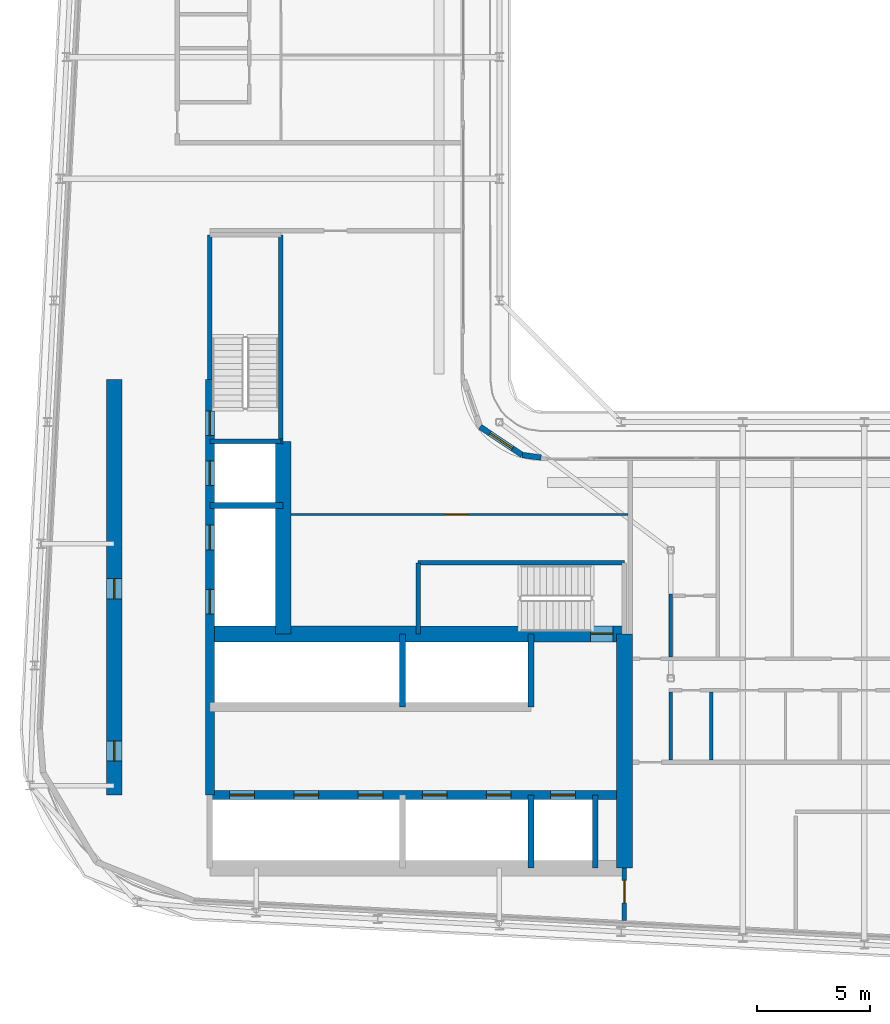
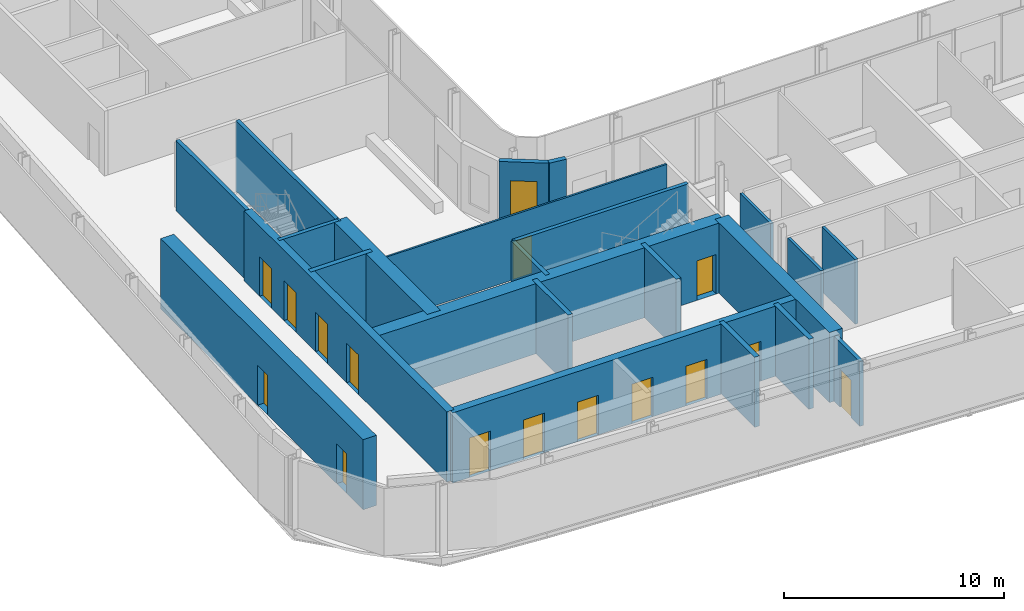
# One storey, part 10 of 21: 24 walls, 15 doors, 1 window, 16 openings.
"""IFC4 building model written with IfcOpenShell, lengths in metres."""

from ifc_helpers import new_model, si_unit, direction, frame, frame_2d, origin, place, context, subcontext, project, spatial, rectangle, extrude, source, transform, mapped, material, layer, layer_set, type_object, element, fill, save


model = new_model("IFC4")

# Units and contexts
model_context = context("Model", 3, precision=1e-05, world=origin(), true_north=direction((0.0, 1.0)))
body_context = subcontext(model_context, "Body", "Model", "MODEL_VIEW")
ifc_project = project(units=[si_unit("LENGTHUNIT", "METRE"), si_unit("AREAUNIT", "SQUARE_METRE"), si_unit("VOLUMEUNIT", "CUBIC_METRE"), si_unit("PLANEANGLEUNIT", "RADIAN"), si_unit("MASSUNIT", "GRAM", prefix="KILO")], contexts=[model_context])

# Site, building, storey
site_placement = place(None, origin())
site = spatial("IfcSite", under=ifc_project, at=site_placement, CompositionType="ELEMENT")
building_placement = place(site_placement, origin())
building = spatial("IfcBuilding", under=site, at=building_placement, Name="Kheshtan School and Residences Tower", CompositionType="ELEMENT")
storey_placement = place(building_placement, frame((0.0, 0.0, 231.800048828125)))
storey = spatial("IfcBuildingStorey", under=building, at=storey_placement, Name="L54", CompositionType="ELEMENT", Elevation=231.800048828125)

# Wall, openings, doors
ifc_material_1 = material(Name="Concrete C50/60", Category="concrete")
ifc_layer_1 = layer(ifc_material_1, 0.39990234375)
ifc_layer_set_1 = layer_set([ifc_layer_1], Name="Core wall 400 Concrete C50/60")
wall_type_1 = type_object("IfcWallType", Name="Core wall 400 Concrete C50/60", PredefinedType="SHEAR", material=ifc_layer_set_1)
wall_1_placement = place(storey_placement, frame((34.75, 29.050048828125, 0.0), z_axis=(0.0, 0.0, 1.0), x_axis=(1.0, 0.0, 0.0)))
wall_1 = element("IfcWall", 1, at=wall_1_placement, inside=storey, type_object=wall_type_1, Name="Core wall CW-HALL-S1", PredefinedType="SHEAR", context=body_context, shape_type="SweptSolid", body=[
    extrude(rectangle(XDim=18.39990234375, YDim=0.39990234375, at=frame_2d((9.199951171875, 0.0))), origin(), (0.0, 0.0, 1.0), 3.89990234375),
])
opening_1_placement = place(wall_1_placement, frame((0.875, 0.0, 0.0)))
opening_1 = element("IfcOpeningElement", 2, at=opening_1_placement, cuts=wall_1, Name="Opening LD", PredefinedType="OPENING", context=body_context, shape_type="SweptSolid", body=[
    extrude(rectangle(XDim=1.10009765625, YDim=2.199951171875, at=frame_2d((0.550048828125, 1.10009765625))), frame((0.0, 0.2099609375, 0.0), z_axis=(0.0, -1.0, 0.0), x_axis=(1.0, 0.0, 0.0)), (0.0, 0.0, 1.0), 0.419921875),
])
opening_2_placement = place(wall_1_placement, frame((3.72509765625, 0.0, 0.0)))
opening_2 = element("IfcOpeningElement", 3, at=opening_2_placement, cuts=wall_1, Name="Opening LD", PredefinedType="OPENING", context=body_context, shape_type="SweptSolid", body=[
    extrude(rectangle(XDim=1.10009765625, YDim=2.199951171875, at=frame_2d((0.550048828125, 1.10009765625))), frame((0.0, 0.2099609375, 0.0), z_axis=(0.0, -1.0, 0.0), x_axis=(1.0, 0.0, 0.0)), (0.0, 0.0, 1.0), 0.419921875),
])
opening_3_placement = place(wall_1_placement, frame((6.574951171875, 0.0, 0.0)))
opening_3 = element("IfcOpeningElement", 4, at=opening_3_placement, cuts=wall_1, Name="Opening LD", PredefinedType="OPENING", context=body_context, shape_type="SweptSolid", body=[
    extrude(rectangle(XDim=1.10009765625, YDim=2.199951171875, at=frame_2d((0.550048828125, 1.10009765625))), frame((0.0, 0.2099609375, 0.0), z_axis=(0.0, -1.0, 0.0), x_axis=(1.0, 0.0, 0.0)), (0.0, 0.0, 1.0), 0.419921875),
])
opening_4_placement = place(wall_1_placement, frame((9.425048828125, 0.0, 0.0)))
opening_4 = element("IfcOpeningElement", 5, at=opening_4_placement, cuts=wall_1, Name="Opening LD", PredefinedType="OPENING", context=body_context, shape_type="SweptSolid", body=[
    extrude(rectangle(XDim=1.10009765625, YDim=2.199951171875, at=frame_2d((0.550048828125, 1.10009765625))), frame((0.0, 0.2099609375, 0.0), z_axis=(0.0, -1.0, 0.0), x_axis=(1.0, 0.0, 0.0)), (0.0, 0.0, 1.0), 0.419921875),
])
opening_5_placement = place(wall_1_placement, frame((12.27490234375, 0.0, 0.0)))
opening_5 = element("IfcOpeningElement", 6, at=opening_5_placement, cuts=wall_1, Name="Opening LD", PredefinedType="OPENING", context=body_context, shape_type="SweptSolid", body=[
    extrude(rectangle(XDim=1.10009765625, YDim=2.199951171875, at=frame_2d((0.550048828125, 1.10009765625))), frame((0.0, 0.2099609375, 0.0), z_axis=(0.0, -1.0, 0.0), x_axis=(1.0, 0.0, 0.0)), (0.0, 0.0, 1.0), 0.419921875),
])
opening_6_placement = place(wall_1_placement, frame((15.125, 0.0, 0.0)))
opening_6 = element("IfcOpeningElement", 7, at=opening_6_placement, cuts=wall_1, Name="Opening LD", PredefinedType="OPENING", context=body_context, shape_type="SweptSolid", body=[
    extrude(rectangle(XDim=1.10009765625, YDim=2.199951171875, at=frame_2d((0.550048828125, 1.10009765625))), frame((0.0, 0.2099609375, 0.0), z_axis=(0.0, -1.0, 0.0), x_axis=(1.0, 0.0, 0.0)), (0.0, 0.0, 1.0), 0.419921875),
])
ifc_material_2 = material(Name="Stainless steel door leaves", Category="steel")
door_type_1 = type_object("IfcDoorType", Name="Lift landing door 1100", OperationType="SLIDING_TO_LEFT", PredefinedType="DOOR", material=ifc_material_2)
shared_shape_1 = source(origin(), body_context, "Body", "SweptSolid", [
    extrude(rectangle(XDim=1.10009765625, YDim=2.199951171875, at=frame_2d((0.550048828125, 1.10009765625))), frame((0.0, 0.02490234375, 0.0), z_axis=(0.0, -1.0, 0.0), x_axis=(1.0, 0.0, 0.0)), (0.0, 0.0, 1.0), 0.050048828125),
])
door_1_placement = place(opening_1_placement, origin())
door_1 = element("IfcDoor", 8, at=door_1_placement, inside=storey, type_object=door_type_1, Name="Lift P7 landing door", OperationType="SLIDING_TO_LEFT", OverallHeight=2.199951171875, OverallWidth=1.10009765625, PredefinedType="DOOR", context=body_context, shape_type="MappedRepresentation", body=[
    mapped(shared_shape_1, transform((0.0, 0.0, 0.0), x_axis=(1.0, 0.0, 0.0), y_axis=(0.0, 1.0, 0.0), z_axis=(0.0, 0.0, 1.0), scale=1.0)),
])
fill(opening_1, door_1)
door_2_placement = place(opening_2_placement, origin())
door_2 = element("IfcDoor", 9, at=door_2_placement, inside=storey, type_object=door_type_1, Name="Lift P8 landing door", OperationType="SLIDING_TO_LEFT", OverallHeight=2.199951171875, OverallWidth=1.10009765625, PredefinedType="DOOR", context=body_context, shape_type="MappedRepresentation", body=[
    mapped(shared_shape_1, transform((0.0, 0.0, 0.0), x_axis=(1.0, 0.0, 0.0), y_axis=(0.0, 1.0, 0.0), z_axis=(0.0, 0.0, 1.0), scale=1.0)),
])
fill(opening_2, door_2)
door_3_placement = place(opening_3_placement, origin())
door_3 = element("IfcDoor", 10, at=door_3_placement, inside=storey, type_object=door_type_1, Name="Lift P9 landing door", OperationType="SLIDING_TO_LEFT", OverallHeight=2.199951171875, OverallWidth=1.10009765625, PredefinedType="DOOR", context=body_context, shape_type="MappedRepresentation", body=[
    mapped(shared_shape_1, transform((0.0, 0.0, 0.0), x_axis=(1.0, 0.0, 0.0), y_axis=(0.0, 1.0, 0.0), z_axis=(0.0, 0.0, 1.0), scale=1.0)),
])
fill(opening_3, door_3)
door_4_placement = place(opening_4_placement, origin())
door_4 = element("IfcDoor", 11, at=door_4_placement, inside=storey, type_object=door_type_1, Name="Lift P10 landing door", OperationType="SLIDING_TO_LEFT", OverallHeight=2.199951171875, OverallWidth=1.10009765625, PredefinedType="DOOR", context=body_context, shape_type="MappedRepresentation", body=[
    mapped(shared_shape_1, transform((0.0, 0.0, 0.0), x_axis=(1.0, 0.0, 0.0), y_axis=(0.0, 1.0, 0.0), z_axis=(0.0, 0.0, 1.0), scale=1.0)),
])
fill(opening_4, door_4)
door_5_placement = place(opening_5_placement, origin())
door_5 = element("IfcDoor", 12, at=door_5_placement, inside=storey, type_object=door_type_1, Name="Lift P11 landing door", OperationType="SLIDING_TO_LEFT", OverallHeight=2.199951171875, OverallWidth=1.10009765625, PredefinedType="DOOR", context=body_context, shape_type="MappedRepresentation", body=[
    mapped(shared_shape_1, transform((0.0, 0.0, 0.0), x_axis=(1.0, 0.0, 0.0), y_axis=(0.0, 1.0, 0.0), z_axis=(0.0, 0.0, 1.0), scale=1.0)),
])
fill(opening_5, door_5)
door_6_placement = place(opening_6_placement, origin())
door_6 = element("IfcDoor", 13, at=door_6_placement, inside=storey, type_object=door_type_1, Name="Lift FFL2 landing door", OperationType="SLIDING_TO_LEFT", OverallHeight=2.199951171875, OverallWidth=1.10009765625, PredefinedType="DOOR", context=body_context, shape_type="MappedRepresentation", body=[
    mapped(shared_shape_1, transform((0.0, 0.0, 0.0), x_axis=(1.0, 0.0, 0.0), y_axis=(0.0, 1.0, 0.0), z_axis=(0.0, 0.0, 1.0), scale=1.0)),
])
fill(opening_6, door_6)

wall_2_placement = place(storey_placement, frame((34.75, 29.050048828125, 0.0), z_axis=(0.0, 0.0, 1.0), x_axis=(0.0, 1.0, 0.0)))
wall_2 = element("IfcWall", 14, at=wall_2_placement, inside=storey, type_object=wall_type_1, Name="Core wall CW-HALL-W1", PredefinedType="SHEAR", context=body_context, shape_type="SweptSolid", body=[
    extrude(rectangle(XDim=18.449951171875, YDim=0.39990234375, at=frame_2d((9.22509765625, 0.0))), origin(), (0.0, 0.0, 1.0), 3.89990234375),
])
opening_7_placement = place(wall_2_placement, frame((8.02490234375, 0.0, 0.0)))
opening_7 = element("IfcOpeningElement", 15, at=opening_7_placement, cuts=wall_2, Name="Opening LD", PredefinedType="OPENING", context=body_context, shape_type="SweptSolid", body=[
    extrude(rectangle(XDim=1.10009765625, YDim=2.199951171875, at=frame_2d((0.550048828125, 1.10009765625))), frame((0.0, 0.2099609375, 0.0), z_axis=(0.0, -1.0, 0.0), x_axis=(1.0, 0.0, 0.0)), (0.0, 0.0, 1.0), 0.419921875),
])
opening_8_placement = place(wall_2_placement, frame((10.875, 0.0, 0.0)))
opening_8 = element("IfcOpeningElement", 16, at=opening_8_placement, cuts=wall_2, Name="Opening LD", PredefinedType="OPENING", context=body_context, shape_type="SweptSolid", body=[
    extrude(rectangle(XDim=1.10009765625, YDim=2.199951171875, at=frame_2d((0.550048828125, 1.10009765625))), frame((0.0, 0.2099609375, 0.0), z_axis=(0.0, -1.0, 0.0), x_axis=(1.0, 0.0, 0.0)), (0.0, 0.0, 1.0), 0.419921875),
])
opening_9_placement = place(wall_2_placement, frame((13.72509765625, 0.0, 0.0)))
opening_9 = element("IfcOpeningElement", 17, at=opening_9_placement, cuts=wall_2, Name="Opening LD", PredefinedType="OPENING", context=body_context, shape_type="SweptSolid", body=[
    extrude(rectangle(XDim=1.10009765625, YDim=2.199951171875, at=frame_2d((0.550048828125, 1.10009765625))), frame((0.0, 0.2099609375, 0.0), z_axis=(0.0, -1.0, 0.0), x_axis=(1.0, 0.0, 0.0)), (0.0, 0.0, 1.0), 0.419921875),
])
opening_10_placement = place(wall_2_placement, frame((15.949951171875, 0.0, 0.0)))
opening_10 = element("IfcOpeningElement", 18, at=opening_10_placement, cuts=wall_2, Name="Opening ST2D", PredefinedType="OPENING", context=body_context, shape_type="SweptSolid", body=[
    extrude(rectangle(XDim=1.10009765625, YDim=2.199951171875, at=frame_2d((0.550048828125, 1.10009765625))), frame((0.0, 0.2099609375, 0.0), z_axis=(0.0, -1.0, 0.0), x_axis=(1.0, 0.0, 0.0)), (0.0, 0.0, 1.0), 0.419921875),
])
door_7_placement = place(opening_7_placement, origin())
door_7 = element("IfcDoor", 19, at=door_7_placement, inside=storey, type_object=door_type_1, Name="Lift SV1 landing door", OperationType="SLIDING_TO_LEFT", OverallHeight=2.199951171875, OverallWidth=1.10009765625, PredefinedType="DOOR", context=body_context, shape_type="MappedRepresentation", body=[
    mapped(shared_shape_1, transform((0.0, 0.0, 0.0), x_axis=(1.0, 0.0, 0.0), y_axis=(0.0, 1.0, 0.0), z_axis=(0.0, 0.0, 1.0), scale=1.0)),
])
fill(opening_7, door_7)
door_8_placement = place(opening_8_placement, origin())
door_8 = element("IfcDoor", 20, at=door_8_placement, inside=storey, type_object=door_type_1, Name="Lift SV2 landing door", OperationType="SLIDING_TO_LEFT", OverallHeight=2.199951171875, OverallWidth=1.10009765625, PredefinedType="DOOR", context=body_context, shape_type="MappedRepresentation", body=[
    mapped(shared_shape_1, transform((0.0, 0.0, 0.0), x_axis=(1.0, 0.0, 0.0), y_axis=(0.0, 1.0, 0.0), z_axis=(0.0, 0.0, 1.0), scale=1.0)),
])
fill(opening_8, door_8)
door_9_placement = place(opening_9_placement, origin())
door_9 = element("IfcDoor", 21, at=door_9_placement, inside=storey, type_object=door_type_1, Name="Lift FFL1 landing door", OperationType="SLIDING_TO_LEFT", OverallHeight=2.199951171875, OverallWidth=1.10009765625, PredefinedType="DOOR", context=body_context, shape_type="MappedRepresentation", body=[
    mapped(shared_shape_1, transform((0.0, 0.0, 0.0), x_axis=(1.0, 0.0, 0.0), y_axis=(0.0, 1.0, 0.0), z_axis=(0.0, 0.0, 1.0), scale=1.0)),
])
fill(opening_9, door_9)
ifc_material_3 = material(Name="Steel door leaf, galvanised", Category="steel")
door_type_2 = type_object("IfcDoorType", Name="Stair door 1100 steel 90 min", OperationType="SINGLE_SWING_LEFT", PredefinedType="DOOR", material=ifc_material_3)
shared_shape_2 = source(origin(), body_context, "Body", "SweptSolid", [
    extrude(rectangle(XDim=1.10009765625, YDim=2.199951171875, at=frame_2d((0.550048828125, 1.10009765625))), frame((0.0, 0.02490234375, 0.0), z_axis=(0.0, -1.0, 0.0), x_axis=(1.0, 0.0, 0.0)), (0.0, 0.0, 1.0), 0.050048828125),
])
door_10_placement = place(opening_10_placement, origin())
door_10 = element("IfcDoor", 22, at=door_10_placement, inside=storey, type_object=door_type_2, Name="Stair ST2 door", OperationType="SINGLE_SWING_RIGHT", OverallHeight=2.199951171875, OverallWidth=1.10009765625, PredefinedType="DOOR", context=body_context, shape_type="MappedRepresentation", body=[
    mapped(shared_shape_2, transform((0.0, 0.0, 0.0), x_axis=(1.0, 0.0, 0.0), y_axis=(0.0, 1.0, 0.0), z_axis=(0.0, 0.0, 1.0), scale=1.0)),
])
fill(opening_10, door_10)

# Wall, opening, door
ifc_material_4 = material(Name="Concrete C70/85", Category="concrete")
ifc_layer_2 = layer(ifc_material_4, 0.699951171875)
ifc_layer_set_2 = layer_set([ifc_layer_2], Name="Core wall 700 Concrete C70/85")
wall_type_2 = type_object("IfcWallType", Name="Core wall 700 Concrete C70/85", PredefinedType="SHEAR", material=ifc_layer_set_2)
wall_3_placement = place(storey_placement, frame((34.75, 36.199951171875, 0.0), z_axis=(0.0, 0.0, 1.0), x_axis=(1.0, 0.0, 0.0)))
wall_3 = element("IfcWall", 23, at=wall_3_placement, inside=storey, type_object=wall_type_2, Name="Core wall CW-FRONT-S", PredefinedType="SHEAR", context=body_context, shape_type="SweptSolid", body=[
    extrude(rectangle(XDim=18.39990234375, YDim=0.699951171875, at=frame_2d((9.199951171875, 0.0))), origin(), (0.0, 0.0, 1.0), 3.89990234375),
])
opening_11_placement = place(wall_3_placement, frame((16.89990234375, 0.0, 0.0)))
opening_11 = element("IfcOpeningElement", 24, at=opening_11_placement, cuts=wall_3, Name="Opening ST1D", PredefinedType="OPENING", context=body_context, shape_type="SweptSolid", body=[
    extrude(rectangle(XDim=1.0, YDim=2.199951171875, at=frame_2d((0.5, 1.10009765625))), frame((0.0, 0.35986328125, 0.0), z_axis=(0.0, -1.0, 0.0), x_axis=(1.0, 0.0, 0.0)), (0.0, 0.0, 1.0), 0.719970703125),
])
shared_shape_3 = source(origin(), body_context, "Body", "SweptSolid", [
    extrude(rectangle(XDim=1.0, YDim=2.199951171875, at=frame_2d((0.5, 1.10009765625))), frame((0.0, 0.02490234375, 0.0), z_axis=(0.0, -1.0, 0.0), x_axis=(1.0, 0.0, 0.0)), (0.0, 0.0, 1.0), 0.050048828125),
])
door_11_placement = place(opening_11_placement, origin())
door_11 = element("IfcDoor", 25, at=door_11_placement, inside=storey, type_object=door_type_2, Name="Stair ST1 door", OperationType="SINGLE_SWING_RIGHT", OverallHeight=2.199951171875, OverallWidth=1.0, PredefinedType="DOOR", context=body_context, shape_type="MappedRepresentation", body=[
    mapped(shared_shape_3, transform((0.0, 0.0, 0.0), x_axis=(1.0, 0.0, 0.0), y_axis=(0.0, 1.0, 0.0), z_axis=(0.0, 0.0, 1.0), scale=1.0)),
])
fill(opening_11, door_11)

# Wall
wall_4_placement = place(storey_placement, frame((38.0, 36.199951171875, 0.0), z_axis=(0.0, 0.0, 1.0), x_axis=(0.0, 1.0, 0.0)))
element("IfcWall", 26, at=wall_4_placement, inside=storey, type_object=wall_type_2, Name="Core wall CW-FRONT-W", PredefinedType="SHEAR", context=body_context, shape_type="SweptSolid", body=[
    extrude(rectangle(XDim=8.550048828125, YDim=0.699951171875, at=frame_2d((4.27490234375, 0.0))), origin(), (0.0, 0.0, 1.0), 3.89990234375),
])

# Wall, openings, doors
wall_5_placement = place(storey_placement, frame((30.5, 29.050048828125, 0.0), z_axis=(0.0, 0.0, 1.0), x_axis=(0.0, 1.0, 0.0)))
wall_5 = element("IfcWall", 27, at=wall_5_placement, inside=storey, type_object=wall_type_2, Name="Core wall CW-REAR-W", PredefinedType="SHEAR", context=body_context, shape_type="SweptSolid", body=[
    extrude(rectangle(XDim=18.449951171875, YDim=0.699951171875, at=frame_2d((9.22509765625, 0.0))), origin(), (0.0, 0.0, 1.0), 3.89990234375),
])
opening_12_placement = place(wall_5_placement, frame((1.5, 0.0, 0.0)))
opening_12 = element("IfcOpeningElement", 28, at=opening_12_placement, cuts=wall_5, Name="Opening SR90", PredefinedType="OPENING", context=body_context, shape_type="SweptSolid", body=[
    extrude(rectangle(XDim=0.89990234375, YDim=2.199951171875, at=frame_2d((0.449951171875, 1.10009765625))), frame((0.0, 0.35986328125, 0.0), z_axis=(0.0, -1.0, 0.0), x_axis=(1.0, 0.0, 0.0)), (0.0, 0.0, 1.0), 0.719970703125),
])
opening_13_placement = place(wall_5_placement, frame((8.705078125, 0.0, 0.0)))
opening_13 = element("IfcOpeningElement", 29, at=opening_13_placement, cuts=wall_5, Name="Opening SR90", PredefinedType="OPENING", context=body_context, shape_type="SweptSolid", body=[
    extrude(rectangle(XDim=0.89990234375, YDim=2.199951171875, at=frame_2d((0.449951171875, 1.10009765625))), frame((0.0, 0.35986328125, 0.0), z_axis=(0.0, -1.0, 0.0), x_axis=(1.0, 0.0, 0.0)), (0.0, 0.0, 1.0), 0.719970703125),
])
door_type_3 = type_object("IfcDoorType", Name="Service room door 900 steel 90 min", OperationType="SINGLE_SWING_LEFT", PredefinedType="DOOR", material=ifc_material_3)
shared_shape_4 = source(origin(), body_context, "Body", "SweptSolid", [
    extrude(rectangle(XDim=0.89990234375, YDim=2.199951171875, at=frame_2d((0.449951171875, 1.10009765625))), frame((0.0, 0.02490234375, 0.0), z_axis=(0.0, -1.0, 0.0), x_axis=(1.0, 0.0, 0.0)), (0.0, 0.0, 1.0), 0.050048828125),
])
door_12_placement = place(opening_12_placement, origin())
door_12 = element("IfcDoor", 30, at=door_12_placement, inside=storey, type_object=door_type_3, Name="Service room door", OperationType="SINGLE_SWING_LEFT", OverallHeight=2.199951171875, OverallWidth=0.89990234375, PredefinedType="DOOR", context=body_context, shape_type="MappedRepresentation", body=[
    mapped(shared_shape_4, transform((0.0, 0.0, 0.0), x_axis=(1.0, 0.0, 0.0), y_axis=(0.0, 1.0, 0.0), z_axis=(0.0, 0.0, 1.0), scale=1.0)),
])
fill(opening_12, door_12)
door_13_placement = place(opening_13_placement, origin())
door_13 = element("IfcDoor", 31, at=door_13_placement, inside=storey, type_object=door_type_3, Name="Service room door", OperationType="SINGLE_SWING_LEFT", OverallHeight=2.199951171875, OverallWidth=0.89990234375, PredefinedType="DOOR", context=body_context, shape_type="MappedRepresentation", body=[
    mapped(shared_shape_4, transform((0.0, 0.0, 0.0), x_axis=(1.0, 0.0, 0.0), y_axis=(0.0, 1.0, 0.0), z_axis=(0.0, 0.0, 1.0), scale=1.0)),
])
fill(opening_13, door_13)

# Wall
wall_6_placement = place(storey_placement, frame((53.14990234375, 25.800048828125, 0.0), z_axis=(0.0, 0.0, 1.0), x_axis=(0.0, 1.0, 0.0)))
element("IfcWall", 32, at=wall_6_placement, inside=storey, type_object=wall_type_2, Name="Core wall CW-EAST", PredefinedType="SHEAR", context=body_context, shape_type="SweptSolid", body=[
    extrude(rectangle(XDim=10.39990234375, YDim=0.699951171875, at=frame_2d((5.199951171875, 0.0))), origin(), (0.0, 0.0, 1.0), 3.89990234375),
])

# Wall, opening, door
ifc_material_5 = material(Name="Gypsum board on steel studs with fire boards", Category="steel")
ifc_layer_3 = layer(ifc_material_5, 0.199951171875)
ifc_layer_set_3 = layer_set([ifc_layer_3], Name="Corridor wall 200")
wall_type_3 = type_object("IfcWallType", Name="Corridor wall 200", PredefinedType="PARTITIONING", material=ifc_layer_set_3)
wall_7_placement = place(storey_placement, frame((53.14990234375, 23.472412109375, 0.0), z_axis=(0.0, 0.0, 1.0), x_axis=(0.0, 1.0, 0.0)))
wall_7 = element("IfcWall", 33, at=wall_7_placement, inside=storey, type_object=wall_type_3, Name="Partition L54-022", PredefinedType="PARTITIONING", context=body_context, shape_type="SweptSolid", body=[
    extrude(rectangle(XDim=2.32763671875, YDim=0.199951171875, at=frame_2d((1.163818359375, 0.0))), origin(), (0.0, 0.0, 1.0), 3.599853515625),
])
opening_14_placement = place(wall_7_placement, frame((0.784912109375, 0.0, 0.0)))
opening_14 = element("IfcOpeningElement", 34, at=opening_14_placement, cuts=wall_7, Name="Opening D54-035", PredefinedType="OPENING", context=body_context, shape_type="SweptSolid", body=[
    extrude(rectangle(XDim=1.0, YDim=2.10009765625, at=frame_2d((0.5, 1.050048828125))), frame((0.0, 0.10986328125, 0.0), z_axis=(0.0, -1.0, 0.0), x_axis=(1.0, 0.0, 0.0)), (0.0, 0.0, 1.0), 0.219970703125),
])
ifc_material_6 = material(Name="Steel-framed fire-resisting door leaf", Category="steel")
door_type_4 = type_object("IfcDoorType", Name="Fire door FD60 1000 x 2100", OperationType="SINGLE_SWING_LEFT", PredefinedType="DOOR", material=ifc_material_6)
shared_shape_5 = source(origin(), body_context, "Body", "SweptSolid", [
    extrude(rectangle(XDim=1.0, YDim=2.10009765625, at=frame_2d((0.5, 1.050048828125))), frame((0.0, 0.02490234375, 0.0), z_axis=(0.0, -1.0, 0.0), x_axis=(1.0, 0.0, 0.0)), (0.0, 0.0, 1.0), 0.050048828125),
])
door_14_placement = place(opening_14_placement, origin())
door_14 = element("IfcDoor", 35, at=door_14_placement, inside=storey, type_object=door_type_4, Name="Door D54-035", OperationType="SINGLE_SWING_RIGHT", OverallHeight=2.10009765625, OverallWidth=1.0, PredefinedType="DOOR", context=body_context, shape_type="MappedRepresentation", body=[
    mapped(shared_shape_5, transform((0.0, 0.0, 0.0), x_axis=(1.0, 0.0, 0.0), y_axis=(0.0, 1.0, 0.0), z_axis=(0.0, 0.0, 1.0), scale=1.0)),
])
fill(opening_14, door_14)

# Wall, opening, window
ifc_material_7 = material(Name="Concrete C40/50 with ceramic cladding and mineral wool insulation", Category="concrete")
ifc_layer_4 = layer(ifc_material_7, 0.25)
ifc_layer_set_4 = layer_set([ifc_layer_4], Name="External wall 250 ceramic clad")
wall_type_4 = type_object("IfcWallType", Name="External wall 250 ceramic clad", PredefinedType="SOLIDWALL", material=ifc_layer_set_4)
wall_8_placement = place(storey_placement, frame((46.742919921875, 45.388916015625, 0.0), z_axis=(0.0, 0.0, 1.0), x_axis=(0.831449265529, -0.555600682912, 0.0)))
wall_8 = element("IfcWall", 36, at=wall_8_placement, inside=storey, type_object=wall_type_4, Name="External wall L54 6", PredefinedType="SOLIDWALL", context=body_context, shape_type="SweptSolid", body=[
    extrude(rectangle(XDim=2.25146484375, YDim=0.25, at=frame_2d((1.125732421875, 0.0))), origin(), (0.0, 0.0, 1.0), 3.75),
])
opening_15_placement = place(wall_8_placement, frame((0.52490234375, 0.0, 0.60009765625)))
opening_15 = element("IfcOpeningElement", 37, at=opening_15_placement, cuts=wall_8, Name="Opening WN-E", PredefinedType="OPENING", context=body_context, shape_type="SweptSolid", body=[
    extrude(rectangle(XDim=1.199951171875, YDim=2.10009765625, at=frame_2d((0.60009765625, 1.050048828125))), frame((0.0, 0.135009765625, 0.0), z_axis=(0.0, -1.0, 0.0), x_axis=(1.0, 0.0, 0.0)), (0.0, 0.0, 1.0), 0.27001953125),
])
ifc_material_8 = material(Name="Clear low-e glass in thermally broken aluminium frame", Category="aluminium")
window_type = type_object("IfcWindowType", Name="Window WN-E", PartitioningType="SINGLE_PANEL", PredefinedType="WINDOW", material=ifc_material_8)
shared_shape_6 = source(origin(), body_context, "Body", "SweptSolid", [
    extrude(rectangle(XDim=1.199951171875, YDim=2.10009765625, at=frame_2d((0.60009765625, 1.050048828125))), frame((0.0, 0.030029296875, 0.0), z_axis=(0.0, -1.0, 0.0), x_axis=(1.0, 0.0, 0.0)), (0.0, 0.0, 1.0), 0.06005859375),
])
window_placement = place(opening_15_placement, origin())
window = element("IfcWindow", 38, at=window_placement, inside=storey, type_object=window_type, Name="Window L54 6", OverallHeight=2.10009765625, OverallWidth=1.199951171875, PartitioningType="SINGLE_PANEL", PredefinedType="WINDOW", context=body_context, shape_type="MappedRepresentation", body=[
    mapped(shared_shape_6, transform((0.0, 0.0, 0.0), x_axis=(1.0, 0.0, 0.0), y_axis=(0.0, 1.0, 0.0), z_axis=(0.0, 0.0, 1.0), scale=1.0)),
])
fill(opening_15, window)

# Wall
wall_9_placement = place(storey_placement, frame((48.614990234375, 44.137939453125, 0.0), z_axis=(0.0, 0.0, 1.0), x_axis=(0.990741504246, -0.135761819977, 0.0)))
element("IfcWall", 39, at=wall_9_placement, inside=storey, type_object=wall_type_4, Name="External wall L54 7", PredefinedType="SOLIDWALL", context=body_context, shape_type="SweptSolid", body=[
    extrude(rectangle(XDim=0.83984375, YDim=0.25, at=frame_2d((0.419921875, 0.0))), origin(), (0.0, 0.0, 1.0), 3.75),
])

# Wall, opening, door
ifc_material_9 = material(Name="Gypsum board on steel studs", Category="steel")
ifc_layer_5 = layer(ifc_material_9, 0.10009765625)
ifc_layer_set_5 = layer_set([ifc_layer_5], Name="Gypsum partition 100")
wall_type_5 = type_object("IfcWallType", Name="Gypsum partition 100", PredefinedType="PARTITIONING", material=ifc_layer_set_5)
wall_10_placement = place(storey_placement, frame((38.34912109375, 41.5, 0.0), z_axis=(0.0, 0.0, 1.0), x_axis=(1.0, 0.0, 0.0)))
wall_10 = element("IfcWall", 40, at=wall_10_placement, inside=storey, type_object=wall_type_5, Name="Partition L54-021", PredefinedType="PARTITIONING", context=body_context, shape_type="SweptSolid", body=[
    extrude(rectangle(XDim=14.950927734375, YDim=0.10009765625, at=frame_2d((7.4755859375, 0.0))), origin(), (0.0, 0.0, 1.0), 3.599853515625),
])
opening_16_placement = place(wall_10_placement, frame((6.85107421875, 0.0, 0.0)))
opening_16 = element("IfcOpeningElement", 41, at=opening_16_placement, cuts=wall_10, Name="Opening D54-034", PredefinedType="OPENING", context=body_context, shape_type="SweptSolid", body=[
    extrude(rectangle(XDim=1.0, YDim=2.10009765625, at=frame_2d((0.5, 1.050048828125))), frame((0.0, 0.06005859375, 0.0), z_axis=(0.0, -1.0, 0.0), x_axis=(1.0, 0.0, 0.0)), (0.0, 0.0, 1.0), 0.1201171875),
])
ifc_material_10 = material(Name="Veneered timber door leaf", Category="wood")
door_type_5 = type_object("IfcDoorType", Name="Door 1000 x 2100", OperationType="SINGLE_SWING_LEFT", PredefinedType="DOOR", material=ifc_material_10)
shared_shape_7 = source(origin(), body_context, "Body", "SweptSolid", [
    extrude(rectangle(XDim=1.0, YDim=2.10009765625, at=frame_2d((0.5, 1.050048828125))), frame((0.0, 0.02490234375, 0.0), z_axis=(0.0, -1.0, 0.0), x_axis=(1.0, 0.0, 0.0)), (0.0, 0.0, 1.0), 0.050048828125),
])
door_15_placement = place(opening_16_placement, origin())
door_15 = element("IfcDoor", 42, at=door_15_placement, inside=storey, type_object=door_type_5, Name="Door D54-034", OperationType="SINGLE_SWING_RIGHT", OverallHeight=2.10009765625, OverallWidth=1.0, PredefinedType="DOOR", context=body_context, shape_type="MappedRepresentation", body=[
    mapped(shared_shape_7, transform((0.0, 0.0, 0.0), x_axis=(1.0, 0.0, 0.0), y_axis=(0.0, 1.0, 0.0), z_axis=(0.0, 0.0, 1.0), scale=1.0)),
])
fill(opening_16, door_15)

# Walls
ifc_material_11 = material(Name="Fire-board shaft wall system")
ifc_layer_6 = layer(ifc_material_11, 0.25)
ifc_layer_set_6 = layer_set([ifc_layer_6], Name="Shaft lining wall 250")
wall_type_6 = type_object("IfcWallType", Name="Shaft lining wall 250", PredefinedType="PARTITIONING", material=ifc_layer_set_6)
for number, where, z_axis, x_axis, name in (
    (43, (43.300048828125, 32.949951171875, 0.0), (0.0, 0.0, 1.0), (0.0, 1.0, 0.0), "Shaft lining wall"),
    (44, (49.0, 25.800048828125, 0.0), (0.0, 0.0, 1.0), (0.0, 1.0, 0.0), "Shaft lining wall"),
    (45, (49.0, 32.949951171875, 0.0), (0.0, 0.0, 1.0), (0.0, 1.0, 0.0), "Shaft lining wall"),
    (46, (51.85009765625, 25.800048828125, 0.0), (0.0, 0.0, 1.0), (0.0, 1.0, 0.0), "Shaft lining wall"),
    (47, (34.75, 41.89990234375, 0.0), (0.0, 0.0, 1.0), (1.0, 0.0, 0.0), "Shaft lining wall"),
):
    element("IfcWall", number, at=place(storey_placement, frame(where, z_axis=z_axis, x_axis=x_axis)), inside=storey, type_object=wall_type_6, Name=name, PredefinedType="PARTITIONING", context=body_context, shape_type="SweptSolid", body=[
        extrude(rectangle(XDim=3.25, YDim=0.25, at=frame_2d((1.625, 0.0))), origin(), (0.0, 0.0, 1.0), 3.89990234375),
    ])
wall_11_placement = place(storey_placement, frame((37.89990234375, 44.75, 0.0), z_axis=(0.0, 0.0, 1.0), x_axis=(1.0, 0.0, 0.0)))
element("IfcWall", 48, at=wall_11_placement, inside=storey, type_object=wall_type_6, Name="Shaft lining wall", PredefinedType="PARTITIONING", context=body_context, shape_type="SweptSolid", body=[
    extrude(rectangle(XDim=0.10009765625, YDim=0.25, at=frame_2d((0.050048828125, 0.0))), origin(), (0.0, 0.0, 1.0), 3.89990234375),
])
ifc_material_12 = material(Name="Concrete C40/50", Category="concrete")
ifc_layer_7 = layer(ifc_material_12, 0.199951171875)
ifc_layer_set_7 = layer_set([ifc_layer_7], Name="Stair enclosure wall 200 Concrete C40/50")
wall_type_7 = type_object("IfcWallType", Name="Stair enclosure wall 200 Concrete C40/50", PredefinedType="SHEAR", material=ifc_layer_set_7)
wall_12_placement = place(storey_placement, frame((43.989990234375, 39.35009765625, 0.0), z_axis=(0.0, 0.0, 1.0), x_axis=(1.0, 0.0, 0.0)))
element("IfcWall", 49, at=wall_12_placement, inside=storey, type_object=wall_type_7, Name="Stair enclosure wall ST1", PredefinedType="SHEAR", context=body_context, shape_type="SweptSolid", body=[
    extrude(rectangle(XDim=9.159912109375, YDim=0.199951171875, at=frame_2d((4.580078125, 0.0))), origin(), (0.0, 0.0, 1.0), 3.89990234375),
])
wall_13_placement = place(storey_placement, frame((43.989990234375, 36.199951171875, 0.0), z_axis=(0.0, 0.0, 1.0), x_axis=(0.0, 1.0, 0.0)))
element("IfcWall", 50, at=wall_13_placement, inside=storey, type_object=wall_type_7, Name="Stair enclosure wall ST1", PredefinedType="SHEAR", context=body_context, shape_type="SweptSolid", body=[
    extrude(rectangle(XDim=3.150146484375, YDim=0.199951171875, at=frame_2d((1.5751953125, 0.0))), origin(), (0.0, 0.0, 1.0), 3.89990234375),
])
wall_14_placement = place(storey_placement, frame((34.75, 44.75, 0.0), z_axis=(0.0, 0.0, 1.0), x_axis=(1.0, 0.0, 0.0)))
element("IfcWall", 51, at=wall_14_placement, inside=storey, type_object=wall_type_7, Name="Stair enclosure wall ST2", PredefinedType="SHEAR", context=body_context, shape_type="SweptSolid", body=[
    extrude(rectangle(XDim=3.14990234375, YDim=0.199951171875, at=frame_2d((1.574951171875, 0.0))), origin(), (0.0, 0.0, 1.0), 3.89990234375),
])
wall_15_placement = place(storey_placement, frame((34.75, 47.5, 0.0), z_axis=(0.0, 0.0, 1.0), x_axis=(0.0, 1.0, 0.0)))
element("IfcWall", 52, at=wall_15_placement, inside=storey, type_object=wall_type_7, Name="Stair enclosure wall ST2", PredefinedType="SHEAR", context=body_context, shape_type="SweptSolid", body=[
    extrude(rectangle(XDim=6.409912109375, YDim=0.199951171875, at=frame_2d((3.205078125, 0.0))), origin(), (0.0, 0.0, 1.0), 3.89990234375),
])
wall_16_placement = place(storey_placement, frame((37.89990234375, 44.75, 0.0), z_axis=(0.0, 0.0, 1.0), x_axis=(0.0, 1.0, 0.0)))
element("IfcWall", 53, at=wall_16_placement, inside=storey, type_object=wall_type_7, Name="Stair enclosure wall ST2", PredefinedType="SHEAR", context=body_context, shape_type="SweptSolid", body=[
    extrude(rectangle(XDim=9.159912109375, YDim=0.199951171875, at=frame_2d((4.580078125, 0.0))), origin(), (0.0, 0.0, 1.0), 3.89990234375),
])
ifc_material_13 = material(Name="Moisture-resistant gypsum board on steel studs", Category="steel")
ifc_layer_8 = layer(ifc_material_13, 0.14990234375)
ifc_layer_set_8 = layer_set([ifc_layer_8], Name="Wet-room partition 150")
wall_type_8 = type_object("IfcWallType", Name="Wet-room partition 150", PredefinedType="PARTITIONING", material=ifc_layer_set_8)
wall_17_placement = place(storey_placement, frame((55.199951171875, 30.60009765625, 0.0), z_axis=(0.0, 0.0, 1.0), x_axis=(0.0, 1.0, 0.0)))
element("IfcWall", 54, at=wall_17_placement, inside=storey, type_object=wall_type_8, Name="Partition L54-027", PredefinedType="PARTITIONING", context=body_context, shape_type="SweptSolid", body=[
    extrude(rectangle(XDim=3.02490234375, YDim=0.14990234375, at=frame_2d((1.512451171875, 0.0))), origin(), (0.0, 0.0, 1.0), 3.599853515625),
])
wall_18_placement = place(storey_placement, frame((55.199951171875, 35.175048828125, 0.0), z_axis=(0.0, 0.0, 1.0), x_axis=(0.0, 1.0, 0.0)))
element("IfcWall", 55, at=wall_18_placement, inside=storey, type_object=wall_type_8, Name="Partition L54-028", PredefinedType="PARTITIONING", context=body_context, shape_type="SweptSolid", body=[
    extrude(rectangle(XDim=2.800048828125, YDim=0.14990234375, at=frame_2d((1.39990234375, 0.0))), origin(), (0.0, 0.0, 1.0), 3.447021484375),
])
wall_19_placement = place(storey_placement, frame((57.0, 30.60009765625, 0.0), z_axis=(0.0, 0.0, 1.0), x_axis=(0.0, 1.0, 0.0)))
element("IfcWall", 56, at=wall_19_placement, inside=storey, type_object=wall_type_8, Name="Partition L54-030", PredefinedType="PARTITIONING", context=body_context, shape_type="SweptSolid", body=[
    extrude(rectangle(XDim=3.02490234375, YDim=0.14990234375, at=frame_2d((1.512451171875, 0.0))), origin(), (0.0, 0.0, 1.0), 3.599853515625),
])

save(model, "model.ifc")
